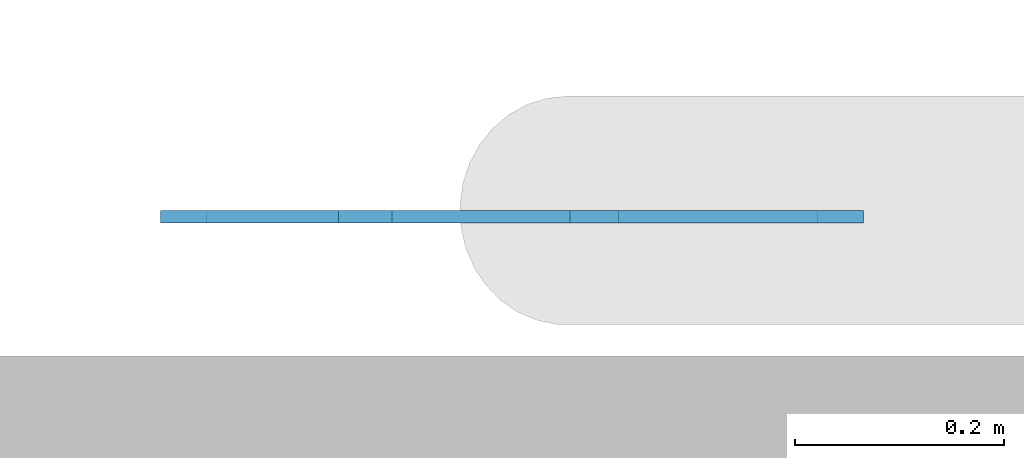
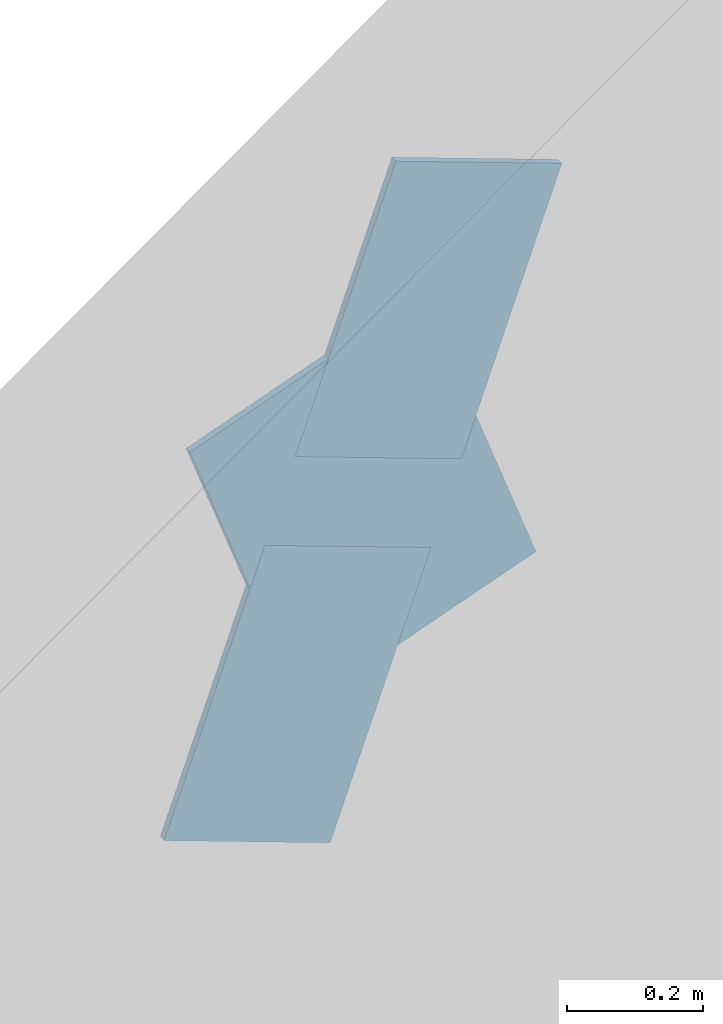
# One storey, part 162 of 198: 3 discrete accessories.
"""IFC4 building model written with IfcOpenShell, lengths in metres."""

from ifc_helpers import new_model, si_unit, direction, frame, origin, place, context, subcontext, project, spatial, polyline, outline, extrude, material, layer, layer_set, type_object, element, save


model = new_model("IFC4")

# Units and contexts
model_context = context("Model", 3, precision=1e-05, world=origin(), true_north=direction((0.0, 1.0)))
body_context = subcontext(model_context, "Body", "Model", "MODEL_VIEW")
ifc_project = project(units=[si_unit("LENGTHUNIT", "METRE"), si_unit("AREAUNIT", "SQUARE_METRE"), si_unit("VOLUMEUNIT", "CUBIC_METRE"), si_unit("PLANEANGLEUNIT", "RADIAN"), si_unit("MASSUNIT", "GRAM", prefix="KILO")], contexts=[model_context])

# Site, building, storey
site_placement = place(None, origin())
site = spatial("IfcSite", under=ifc_project, at=site_placement, CompositionType="ELEMENT")
building_placement = place(site_placement, origin())
building = spatial("IfcBuilding", under=site, at=building_placement, Name="Parallax Yard Mobility Hub", CompositionType="ELEMENT")
storey_placement = place(building_placement, frame((0.0, 0.0, 6.60009765625)))
storey = spatial("IfcBuildingStorey", under=building, at=storey_placement, Name="L02", CompositionType="ELEMENT", Elevation=6.60009765625)

# Discrete accessories
ifc_material = material(Name="Steel ASTM A36", Category="steel")
ifc_layer = layer(ifc_material, 0.011962890625)
ifc_layer_set = layer_set([ifc_layer], Name="Gusset plate PL12")
discrete_accessory_type = type_object("IfcDiscreteAccessoryType", Name="Gusset plate PL12", PredefinedType="BRACKET", material=ifc_layer_set)
for number, where, z_axis, x_axis, name in (
    (1, (11.663330078125, 52.5, 1.16162109375), (0.0, 1.0, 0.0), (0.341507347771, 0.0, 0.939879104682), "Gusset plate PL12 at end 2 of X brace west end bay north face level 0 1 (half 1)"),
    (2, (12.336669921875, 52.5, 2.13818359375), (0.0, 1.0, 0.0), (-0.341507347771, 0.0, -0.939879104682), "Gusset plate PL12 at end 1 of X brace west end bay north face level 0 1 (half 2)"),
):
    element("IfcDiscreteAccessory", number, at=place(storey_placement, frame(where, z_axis=z_axis, x_axis=x_axis)), inside=storey, type_object=discrete_accessory_type, Name=name, PredefinedType="BRACKET", context=body_context, shape_type="SweptSolid", body=[
        extrude(outline(polyline([(0.0, 0.0), (0.4989941134860528, 0.0), (0.4988981954612483, 0.29927546565187213), (-0.00017929384213138944, 0.2990460029798305), (0.0, 0.0)])), origin(), (0.0, 0.0, -1.0), 0.011962890625),
    ])
discrete_accessory_placement = place(storey_placement, frame((11.898193359375, 52.5, 1.31494140625), z_axis=(0.0, 1.0, 0.0), x_axis=(-0.341357987964, 0.0, 0.939933361496)))
element("IfcDiscreteAccessory", 3, at=discrete_accessory_placement, inside=storey, type_object=discrete_accessory_type, Name="Gusset plate PL12 crossing node of X brace west end bay north face level 0 1", PredefinedType="BRACKET", context=body_context, shape_type="SweptSolid", body=[
    extrude(outline(polyline([(0.0, 0.0), (0.5600047929592742, 0.0), (0.5601768998980248, 0.4200660992338535), (0.00017210693875047145, 0.42006609923385346), (0.0, 0.0)])), origin(), (0.0, 0.0, -1.0), 0.011962890625),
])

save(model, "model.ifc")
